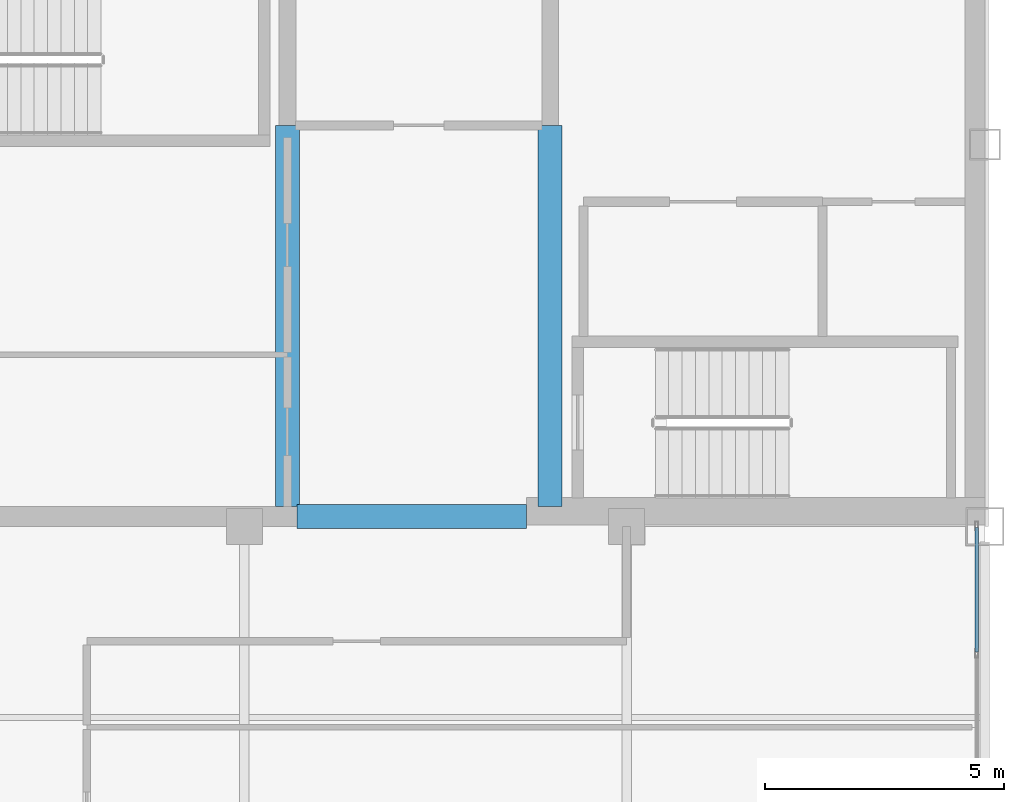
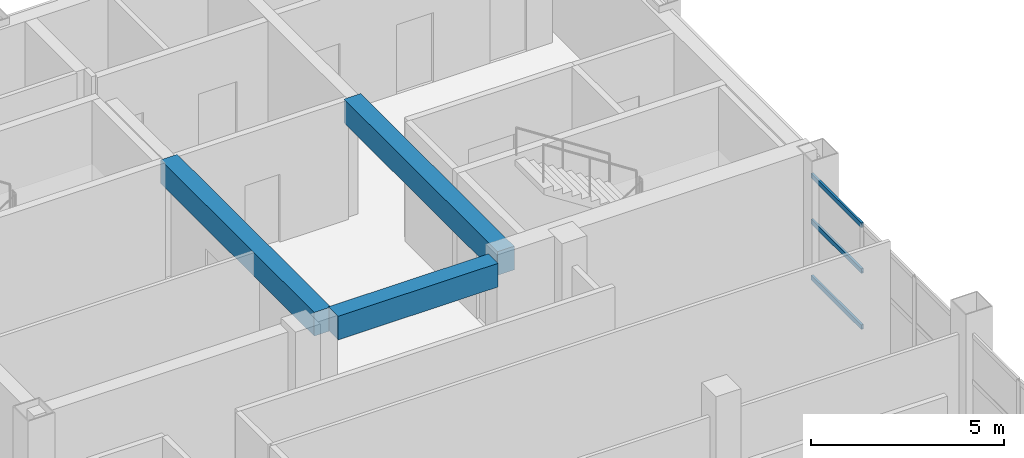
# One storey, part 5 of 13: 3 beams, 3 members, 1 element without a shape of its own.
"""IFC4 building model written with IfcOpenShell, lengths in metres."""

import ifcopenshell
import ifcopenshell.guid

model = None  # the IFC model being written
_history = None  # IfcOwnerHistory: only IFC2X3 demands one
_inside = {}  # id of a spatial element -> (the spatial element, [elements in it])
_under = {}  # id of a project, library or spatial element -> (it, [spatial elements below it])
_declared = {}  # id of a project -> (the project, [libraries it declares])
_typed = {}  # id of a type object -> (the type object, [elements of that type])
_made_of = {}  # id of a material, layer set ... -> (it, [elements and type objects made of it])


def new_model(schema):
    """Start an empty IFC model of exactly this schema.

    Asked for "IFC4X3", IfcOpenShell would pick the latest addendum, in which some entities
    have other attributes; the version numbers below select the first issue.
    IFC2X3 requires an IfcOwnerHistory on every rooted entity: one is made here for all.
    """
    global model, _history
    if schema == "IFC4X3":
        model = ifcopenshell.file(schema_version=(4, 3, 0, 0))
    else:
        model = ifcopenshell.file(schema=schema)
    _inside.clear()
    _under.clear()
    _declared.clear()
    _typed.clear()
    _made_of.clear()
    _history = None
    if model.schema == "IFC2X3":
        org = make("IfcOrganization", Name="unknown")
        user = make(
            "IfcPersonAndOrganization",
            ThePerson=make("IfcPerson", FamilyName="unknown"),
            TheOrganization=org,
        )
        app = make(
            "IfcApplication",
            ApplicationDeveloper=org,
            Version="unknown",
            ApplicationFullName="unknown",
            ApplicationIdentifier="unknown",
        )
        _history = make(
            "IfcOwnerHistory",
            OwningUser=user,
            OwningApplication=app,
            ChangeAction="ADDED",
            CreationDate=0,
        )
    return model


def make(cls, **values):
    """One entity of the class cls with the attributes given. An attribute that is None is left unset."""
    return model.create_entity(
        cls, **{name: value for name, value in values.items() if value is not None}
    )


def rooted(cls, **values):
    """An entity with a GlobalId (a new one), such as an element, a storey or a relation."""
    return make(cls, GlobalId=ifcopenshell.guid.new(), OwnerHistory=_history, **values)


def si_unit(unit_type, name, prefix=None):
    """IfcSIUnit, for example si_unit("LENGTHUNIT", "METRE", prefix="MILLI")."""
    return make("IfcSIUnit", UnitType=unit_type, Prefix=prefix, Name=name)


def assignment(units):
    """IfcUnitAssignment: the units of a project."""
    return None if units is None else make("IfcUnitAssignment", Units=units)


def point(xyz):
    """IfcCartesianPoint."""
    return None if xyz is None else make("IfcCartesianPoint", Coordinates=xyz)


def direction(xyz):
    """IfcDirection."""
    return None if xyz is None else make("IfcDirection", DirectionRatios=xyz)


def frame(location, z_axis=None, x_axis=None):
    """IfcAxis2Placement3D, a coordinate frame: its origin and axes. An axis left out is left unset."""
    return make(
        "IfcAxis2Placement3D",
        Location=point(location),
        Axis=direction(z_axis),
        RefDirection=direction(x_axis),
    )


def frame_2d(location, x_axis=None):
    """IfcAxis2Placement2D, a coordinate frame in the plane: its origin and x axis."""
    return make(
        "IfcAxis2Placement2D", Location=point(location), RefDirection=direction(x_axis)
    )


def origin():
    """The frame at (0, 0, 0) with its axes left unset."""
    return frame((0.0, 0.0, 0.0))


def origin_2d():
    """The frame at (0, 0) in the plane with its x axis left unset."""
    return frame_2d((0.0, 0.0))


def place(relative_to, where):
    """IfcLocalPlacement: puts the frame where relative to a parent placement (None: the world)."""
    return make(
        "IfcLocalPlacement", PlacementRelTo=relative_to, RelativePlacement=where
    )


def context(
    kind, dimensions, precision=None, world=None, true_north=None, identifier=None
):
    """IfcGeometricRepresentationContext, for example the 3D "Model" context."""
    return make(
        "IfcGeometricRepresentationContext",
        ContextIdentifier=identifier,
        ContextType=kind,
        CoordinateSpaceDimension=dimensions,
        Precision=precision,
        WorldCoordinateSystem=world,
        TrueNorth=true_north,
    )


def subcontext(parent, identifier, kind, view, scale=None):
    """IfcGeometricRepresentationSubContext, for example "Body" below "Model"."""
    return make(
        "IfcGeometricRepresentationSubContext",
        ContextIdentifier=identifier,
        ContextType=kind,
        ParentContext=parent,
        TargetScale=scale,
        TargetView=view,
    )


def project(units=None, contexts=None):
    """IfcProject with its units and contexts."""
    return rooted(
        "IfcProject",
        Name="project",
        RepresentationContexts=contexts,
        UnitsInContext=assignment(units),
    )


def spatial(cls, under=None, at=None, **own):
    """A site, building, storey or space (cls), placed at a placement, below another one or the project."""
    s = rooted(cls, ObjectPlacement=at, **own)
    if under is not None:
        _under.setdefault(under.id(), (under, []))[1].append(s)
    return s


def profile(cls, at=None, kind="AREA", **sizes):
    """A parametric profile (cls). Its sizes go by their IFC names, for example OverallWidth=200.0."""
    return make(cls, ProfileType=kind, Position=at, **sizes)


def rectangle(**sizes):
    """IfcRectangleProfileDef."""
    return profile("IfcRectangleProfileDef", **sizes)


def hollow_rectangle(**sizes):
    """IfcRectangleHollowProfileDef."""
    return profile("IfcRectangleHollowProfileDef", **sizes)


def extrude(swept, where, along, depth):
    """IfcExtrudedAreaSolid: the profile swept, set in the frame where, extruded along a direction by depth."""
    return make(
        "IfcExtrudedAreaSolid",
        SweptArea=swept,
        Position=where,
        ExtrudedDirection=direction(along),
        Depth=depth,
    )


def shape(context_of_items, identifier, shape_type, items):
    """IfcShapeRepresentation: the items that make up one representation, for example the "Body"."""
    return make(
        "IfcShapeRepresentation",
        ContextOfItems=context_of_items,
        RepresentationIdentifier=identifier,
        RepresentationType=shape_type,
        Items=items,
    )


def material(Name=None, Category=None):
    """IfcMaterial."""
    return make("IfcMaterial", Name=Name, Category=Category)


def layer(
    of_material, thickness, ventilated=None, Name=None, Category=None, Priority=None
):
    """IfcMaterialLayer: one layer of a wall or slab, of a material (None: an air gap)."""
    return make(
        "IfcMaterialLayer",
        Material=of_material,
        LayerThickness=thickness,
        IsVentilated=ventilated,
        Name=Name,
        Category=Category,
        Priority=Priority,
    )


def layer_set(layers, Name=None):
    """IfcMaterialLayerSet."""
    return make("IfcMaterialLayerSet", MaterialLayers=layers, LayerSetName=Name)


def material_profile(
    of_material, cross_section, Name=None, Category=None, Priority=None
):
    """IfcMaterialProfile: a cross section and its material."""
    return make(
        "IfcMaterialProfile",
        Name=Name,
        Material=of_material,
        Profile=cross_section,
        Priority=Priority,
        Category=Category,
    )


def profile_set(profiles, Name=None, composite=None):
    """IfcMaterialProfileSet."""
    return make(
        "IfcMaterialProfileSet",
        Name=Name,
        MaterialProfiles=profiles,
        CompositeProfile=composite,
    )


def made_of(thing, what):
    """Note that an element or type object is made of a material, layer set ...; save() writes the relation."""
    if what is not None:
        _made_of.setdefault(what.id(), (what, []))[1].append(thing)
    return thing


def type_object(cls, material=None, **own):
    """A type object (cls), such as IfcWallType, which elements share."""
    return made_of(rooted(cls, **own), material)


def element(
    cls,
    number,
    at=None,
    inside=None,
    cuts=None,
    type_object=None,
    material=None,
    context=None,
    identifier="Body",
    shape_type=None,
    held_by="IfcProductDefinitionShape",
    body=None,
    shapes=None,
    **own,
):
    """One element of the class cls, such as IfcWall. Its Tag is "e" and its number.

    at: its placement. inside: the storey or other place that contains it. cuts: it is an
    opening in that element (IfcRelVoidsElement). A single representation is given by context,
    identifier, shape_type and body (its items); several are given by shapes. held_by: the class
    of the entity that holds the representations. save() writes the other relations.
    """
    e = rooted(cls, Tag="e%d" % number, ObjectPlacement=at, **own)
    if body is not None:
        shapes = [shape(context, identifier, shape_type, body)]
    if shapes is not None:
        e.Representation = make(held_by, Representations=shapes)
    if inside is not None:
        _inside.setdefault(inside.id(), (inside, []))[1].append(e)
    if cuts is not None:
        rooted(
            "IfcRelVoidsElement", RelatingBuildingElement=cuts, RelatedOpeningElement=e
        )
    if type_object is not None:
        _typed.setdefault(type_object.id(), (type_object, []))[1].append(e)
    return made_of(e, material)


def aggregate(whole, parts):
    """IfcRelAggregates: a whole, such as a stair, and the parts it consists of."""
    return rooted("IfcRelAggregates", RelatingObject=whole, RelatedObjects=parts)


def save(model, path):
    """Write the relations noted so far, then the file.

    IfcRelAggregates (storeys below a building ...), IfcRelContainedInSpatialStructure (elements
    in a storey), IfcRelDefinesByType, IfcRelAssociatesMaterial and IfcRelDeclares: one each for
    every whole, place, type object, material and project.
    """
    for whole, parts in _under.values():
        aggregate(whole, parts)
    for where, things in _inside.values():
        rooted(
            "IfcRelContainedInSpatialStructure",
            RelatedElements=things,
            RelatingStructure=where,
        )
    for kind, things in _typed.values():
        rooted("IfcRelDefinesByType", RelatedObjects=things, RelatingType=kind)
    for what, things in _made_of.values():
        rooted("IfcRelAssociatesMaterial", RelatedObjects=things, RelatingMaterial=what)
    for by, libraries in _declared.values():
        rooted("IfcRelDeclares", RelatingContext=by, RelatedDefinitions=libraries)
    model.write(path)


model = new_model("IFC4")

# Units and contexts
model_context = context("Model", 3, precision=1e-05, world=origin(), true_north=direction((0.0, 1.0)))
body_context = subcontext(model_context, "Body", "Model", "MODEL_VIEW")
ifc_project = project(units=[si_unit("LENGTHUNIT", "METRE"), si_unit("AREAUNIT", "SQUARE_METRE"), si_unit("VOLUMEUNIT", "CUBIC_METRE"), si_unit("PLANEANGLEUNIT", "RADIAN"), si_unit("MASSUNIT", "GRAM", prefix="KILO")], contexts=[model_context])

# Site, building, storey
site_placement = place(None, origin())
site = spatial("IfcSite", under=ifc_project, at=site_placement, CompositionType="ELEMENT")
building_placement = place(site_placement, origin())
building = spatial("IfcBuilding", under=site, at=building_placement, Name="Qianrong Seaharbour Tower", CompositionType="ELEMENT")
storey_placement = place(building_placement, frame((0.0, 0.0, 295.199951171875)))
storey = spatial("IfcBuildingStorey", under=building, at=storey_placement, Name="L71", CompositionType="ELEMENT", Elevation=295.199951171875)

# Beams
ifc_material_1 = material(Name="Concrete C60/75", Category="concrete")
ifc_material_profile_1 = material_profile(ifc_material_1, rectangle(XDim=0.5, YDim=0.75, at=origin_2d()), Name="RC500x750")
ifc_profile_set_1 = profile_set([ifc_material_profile_1], Name="Concrete C60/75")
beam_type = type_object("IfcBeamType", Name="BM-LINTEL-750", PredefinedType="LINTEL", material=ifc_profile_set_1)
beam_placement = place(storey_placement, frame((49.60009765625, 36.2099609375, 3.41015625), z_axis=(1.0, 0.0, 0.0), x_axis=(0.0, 1.0, 0.0)))
element("IfcBeam", 1, at=beam_placement, inside=storey, type_object=beam_type, Name="L71 Core Coupling Lintel Beam CBC", PredefinedType="LINTEL", context=body_context, shape_type="SweptSolid", body=[
    extrude(rectangle(XDim=0.5, YDim=0.75, at=origin_2d()), origin(), (0.0, 0.0, 1.0), 4.7998046875),
])
for number, where, z_axis, x_axis, name in (
    (2, (49.39990234375, 36.419921875, 3.41015625), (0.0, 1.0, 0.0), (-1.0, 0.0, 0.0), "L71 Internal Core Coupling Beam IW1"),
    (3, (54.89990234375, 36.419921875, 3.41015625), (0.0, 1.0, 0.0), (-1.0, 0.0, 0.0), "L71 Internal Core Coupling Beam IW2"),
):
    element("IfcBeam", number, at=place(storey_placement, frame(where, z_axis=z_axis, x_axis=x_axis)), inside=storey, type_object=beam_type, Name=name, PredefinedType="LINTEL", context=body_context, shape_type="SweptSolid", body=[
        extrude(rectangle(XDim=0.5, YDim=0.75, at=origin_2d()), origin(), (0.0, 0.0, 1.0), 7.97998046875),
    ])

# Curtain wall, members
ifc_material_2 = material(Name="Anodised aluminium 6063-T6 and laminated low-e glass", Category="aluminium")
ifc_layer = layer(ifc_material_2, 0.195068359375)
ifc_layer_set = layer_set([ifc_layer], Name="Anodised aluminium 6063-T6 and laminated low-e glass")
curtain_wall_type = type_object("IfcCurtainWallType", Name="CW-SYS-3", PredefinedType="NOTDEFINED", material=ifc_layer_set)
curtain_wall_placement = place(storey_placement, origin())
curtain_wall = element("IfcCurtainWall", 4, at=curtain_wall_placement, inside=storey, type_object=curtain_wall_type, Name="L71 Sky-Garden Wintergarden Curtain Wall EAST_WING", PredefinedType="NOTDEFINED")
ifc_material_3 = material(Name="Extruded aluminium 6063-T6", Category="aluminium")
ifc_material_profile_2 = material_profile(ifc_material_3, hollow_rectangle(XDim=0.06494140625, YDim=0.14990234375, WallThickness=0.00390625, at=origin_2d()), Name="ALU-TRN-150x65x4")
ifc_profile_set_2 = profile_set([ifc_material_profile_2], Name="Extruded aluminium 6063-T6")
member_type = type_object("IfcMemberType", Name="CW-TRN-150", PredefinedType="USERDEFINED", material=ifc_profile_set_2)
member_1_placement = place(storey_placement, frame((63.830078125, 35.97998046875, 0.032470703125), z_axis=(0.0, -1.0, 0.0), x_axis=(1.0, 0.0, 0.0)))
member_1 = element("IfcMember", 5, at=member_1_placement, type_object=member_type, Name="CW-3 transom 1.1", ObjectType="TRANSOM", PredefinedType="USERDEFINED", context=body_context, shape_type="SweptSolid", body=[
    extrude(hollow_rectangle(XDim=0.06494140625, YDim=0.14990234375, WallThickness=0.00390625, at=origin_2d()), origin(), (0.0, 0.0, 1.0), 2.60498046875),
])
member_2_placement = place(storey_placement, frame((63.830078125, 35.97998046875, 1.812255859375), z_axis=(0.0, -1.0, 0.0), x_axis=(1.0, 0.0, 0.0)))
member_2 = element("IfcMember", 6, at=member_2_placement, type_object=member_type, Name="CW-3 transom 1.2", ObjectType="TRANSOM", PredefinedType="USERDEFINED", context=body_context, shape_type="SweptSolid", body=[
    extrude(hollow_rectangle(XDim=0.06494140625, YDim=0.14990234375, WallThickness=0.00390625, at=origin_2d()), origin(), (0.0, 0.0, 1.0), 2.60498046875),
])
member_3_placement = place(storey_placement, frame((63.830078125, 35.97998046875, 3.262451171875), z_axis=(0.0, -1.0, 0.0), x_axis=(1.0, 0.0, 0.0)))
member_3 = element("IfcMember", 7, at=member_3_placement, type_object=member_type, Name="CW-3 transom 1.3", ObjectType="TRANSOM", PredefinedType="USERDEFINED", context=body_context, shape_type="SweptSolid", body=[
    extrude(hollow_rectangle(XDim=0.06494140625, YDim=0.14990234375, WallThickness=0.00390625, at=origin_2d()), origin(), (0.0, 0.0, 1.0), 2.60498046875),
])
aggregate(curtain_wall, [member_1, member_2, member_3])

save(model, "model.ifc")
